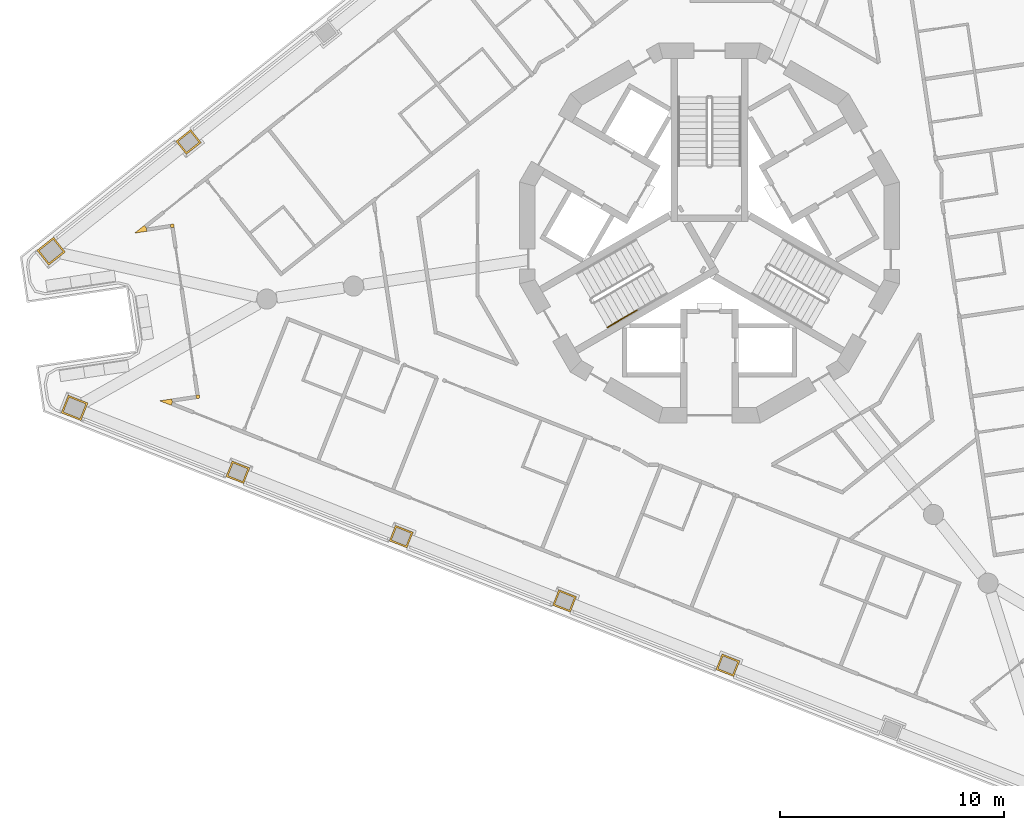
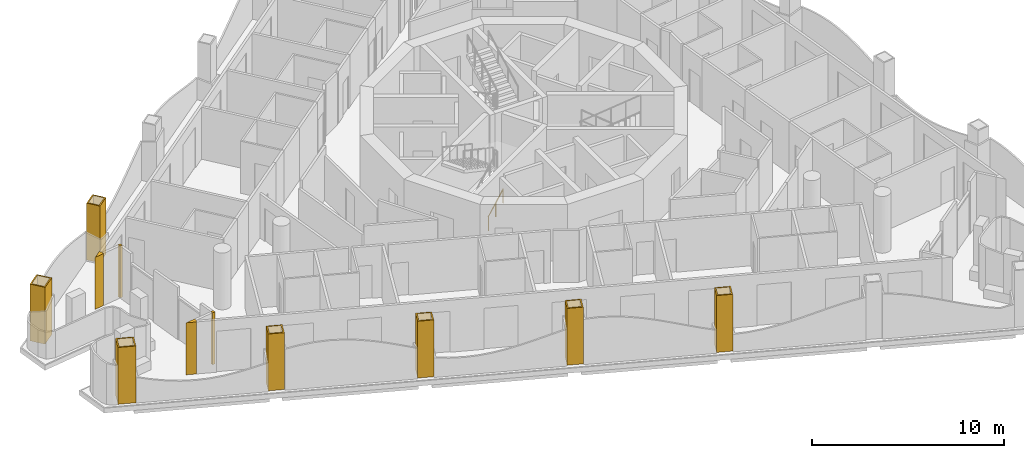
# One storey, part 11 of 17: 11 coverings, 1 railing.
"""IFC4 building model written with IfcOpenShell, lengths in metres."""

from ifc_helpers import new_model, si_unit, direction, frame, origin, origin_2d, place, context, subcontext, project, spatial, polyline, circle, outline, extrude, material, layer, layer_set, type_object, element, save


model = new_model("IFC4")

# Units and contexts
model_context = context("Model", 3, precision=1e-05, world=origin(), true_north=direction((0.0, 1.0)))
body_context = subcontext(model_context, "Body", "Model", "MODEL_VIEW")
ifc_project = project(units=[si_unit("LENGTHUNIT", "METRE"), si_unit("AREAUNIT", "SQUARE_METRE"), si_unit("VOLUMEUNIT", "CUBIC_METRE"), si_unit("PLANEANGLEUNIT", "RADIAN"), si_unit("MASSUNIT", "GRAM", prefix="KILO")], contexts=[model_context])

# Site, building, storey
site_placement = place(None, origin())
site = spatial("IfcSite", under=ifc_project, at=site_placement, CompositionType="ELEMENT")
building_placement = place(site_placement, origin())
building = spatial("IfcBuilding", under=site, at=building_placement, Name="Trine Commons Tower", CompositionType="ELEMENT")
storey_placement = place(building_placement, frame((0.0, 0.0, 208.800048828125)))
storey = spatial("IfcBuildingStorey", under=building, at=storey_placement, Name="L54", CompositionType="ELEMENT", Elevation=208.800048828125)

# Coverings
ifc_material_1 = material(Name="Aluminium-framed insulated wall panel", Category="aluminium")
ifc_layer_1 = layer(ifc_material_1, 0.14990234375)
ifc_layer_set_1 = layer_set([ifc_layer_1], Name="Aluminium-framed insulated wall panel")
covering_type_1 = type_object("IfcCoveringType", Name="Glazing corner post, aluminium", PredefinedType="CLADDING", material=ifc_layer_set_1)
covering_1_placement = place(storey_placement, origin())
element("IfcCovering", 1, at=covering_1_placement, inside=storey, type_object=covering_type_1, Name="Glazing corner post 6-01", PredefinedType="CLADDING", context=body_context, shape_type="SweptSolid", body=[
    extrude(outline(polyline([(54.83642578125, 62.5712890625), (54.814208984375, 62.7197265625), (54.720947265625, 62.837158203125), (54.28271484375, 62.488525390625), (54.83642578125, 62.5712890625)])), origin(), (0.0, 0.0, 1.0), 3.300048828125),
])
covering_2_placement = place(storey_placement, origin())
element("IfcCovering", 2, at=covering_2_placement, inside=storey, type_object=covering_type_1, Name="Glazing corner post 6-10", PredefinedType="CLADDING", context=body_context, shape_type="SweptSolid", body=[
    extrude(outline(polyline([(55.924072265625, 54.78662109375), (55.97900390625, 54.92626953125), (55.956787109375, 55.07470703125), (55.4033203125, 54.991943359375), (55.924072265625, 54.78662109375)])), origin(), (0.0, 0.0, 1.0), 3.300048828125),
])
covering_3_placement = place(storey_placement, origin())
element("IfcCovering", 3, at=covering_3_placement, inside=storey, type_object=covering_type_1, Name="Glazing corner post 6-11", PredefinedType="CLADDING", context=body_context, shape_type="SweptSolid", body=[
    extrude(outline(polyline([(57.030517578125, 55.235107421875), (57.052734375, 55.0869140625), (57.201171875, 55.10888671875), (57.178955078125, 55.25732421875), (57.030517578125, 55.235107421875)])), origin(), (0.0, 0.0, 1.0), 3.300048828125),
])
covering_4_placement = place(storey_placement, origin())
element("IfcCovering", 4, at=covering_4_placement, inside=storey, type_object=covering_type_1, Name="Glazing corner post 6-12", PredefinedType="CLADDING", context=body_context, shape_type="SweptSolid", body=[
    extrude(outline(polyline([(55.91015625, 62.731689453125), (55.91015625, 62.731689453125), (56.05859375, 62.75390625), (56.036376953125, 62.90234375), (55.887939453125, 62.880126953125), (55.91015625, 62.731689453125)])), origin(), (0.0, 0.0, 1.0), 3.300048828125),
])
ifc_material_2 = material(Name="Limestone, honed", Category="masonry")
ifc_layer_2 = layer(ifc_material_2, 0.074951171875)
ifc_layer_set_2 = layer_set([ifc_layer_2], Name="Limestone, honed")
covering_type_2 = type_object("IfcCoveringType", Name="Limestone column cladding 75", PredefinedType="CLADDING", material=ifc_layer_set_2)
covering_5_placement = place(storey_placement, origin())
element("IfcCovering", 5, at=covering_5_placement, inside=storey, type_object=covering_type_2, Name="Limestone pier cladding 6-03", PredefinedType="CLADDING", context=body_context, shape_type="SweptSolid", body=[
    extrude(outline(polyline([(80.562744140625, 43.66796875), (80.287841796875, 42.97021484375), (81.078857421875, 42.658447265625), (81.353759765625, 43.356201171875), (80.562744140625, 43.66796875)]), holes=[polyline([(80.60498046875, 43.570556640625), (80.38525390625, 43.012451171875), (81.03662109375, 42.755859375), (81.25634765625, 43.31396484375), (80.60498046875, 43.570556640625)])]), origin(), (0.0, 0.0, 1.0), 3.599853515625),
])
covering_6_placement = place(storey_placement, origin())
element("IfcCovering", 6, at=covering_6_placement, inside=storey, type_object=covering_type_2, Name="Limestone pier cladding 6-04", PredefinedType="CLADDING", context=body_context, shape_type="SweptSolid", body=[
    extrude(outline(polyline([(73.25830078125, 46.545166015625), (72.9833984375, 45.847412109375), (73.7744140625, 45.535888671875), (74.04931640625, 46.233642578125), (73.25830078125, 46.545166015625)]), holes=[polyline([(73.30078125, 46.447998046875), (73.080810546875, 45.8896484375), (73.732177734375, 45.633056640625), (73.951904296875, 46.19140625), (73.30078125, 46.447998046875)])]), origin(), (0.0, 0.0, 1.0), 3.599853515625),
])
covering_7_placement = place(storey_placement, origin())
element("IfcCovering", 7, at=covering_7_placement, inside=storey, type_object=covering_type_2, Name="Limestone pier cladding 6-05", PredefinedType="CLADDING", context=body_context, shape_type="SweptSolid", body=[
    extrude(outline(polyline([(65.9541015625, 49.42236328125), (65.67919921875, 48.724609375), (66.47021484375, 48.4130859375), (66.7451171875, 49.11083984375), (65.9541015625, 49.42236328125)]), holes=[polyline([(65.996337890625, 49.3251953125), (65.776611328125, 48.766845703125), (66.427734375, 48.51025390625), (66.647705078125, 49.068603515625), (65.996337890625, 49.3251953125)])]), origin(), (0.0, 0.0, 1.0), 3.599853515625),
])
covering_8_placement = place(storey_placement, origin())
element("IfcCovering", 8, at=covering_8_placement, inside=storey, type_object=covering_type_2, Name="Limestone pier cladding 6-06", PredefinedType="CLADDING", context=body_context, shape_type="SweptSolid", body=[
    extrude(outline(polyline([(58.64990234375, 52.2998046875), (58.375, 51.601806640625), (59.165771484375, 51.290283203125), (59.440673828125, 51.988037109375), (58.64990234375, 52.2998046875)]), holes=[polyline([(58.692138671875, 52.202392578125), (58.47216796875, 51.644287109375), (59.12353515625, 51.3876953125), (59.343505859375, 51.94580078125), (58.692138671875, 52.202392578125)])]), origin(), (0.0, 0.0, 1.0), 3.599853515625),
])
covering_9_placement = place(storey_placement, origin())
element("IfcCovering", 9, at=covering_9_placement, inside=storey, type_object=covering_type_2, Name="Limestone pier cladding 6-07", PredefinedType="CLADDING", context=body_context, shape_type="SweptSolid", body=[
    extrude(outline(polyline([(51.317138671875, 55.24169921875), (51.005615234375, 54.450927734375), (51.8896484375, 54.102783203125), (52.201171875, 54.8935546875), (51.317138671875, 55.24169921875)]), holes=[polyline([(51.359619140625, 55.14453125), (51.10302734375, 54.493408203125), (51.847412109375, 54.2001953125), (52.103759765625, 54.851318359375), (51.359619140625, 55.14453125)])]), origin(), (0.0, 0.0, 1.0), 3.599853515625),
])
covering_10_placement = place(storey_placement, origin())
element("IfcCovering", 10, at=covering_10_placement, inside=storey, type_object=covering_type_2, Name="Limestone pier cladding 6-08", PredefinedType="CLADDING", context=body_context, shape_type="SweptSolid", body=[
    extrude(outline(polyline([(51.19189453125, 61.646484375), (50.662841796875, 62.311767578125), (49.919189453125, 61.72021484375), (50.448486328125, 61.05517578125), (51.19189453125, 61.646484375)]), holes=[polyline([(51.08642578125, 61.658447265625), (50.65087890625, 62.206298828125), (50.024658203125, 61.708251953125), (50.46044921875, 61.160400390625), (51.08642578125, 61.658447265625)])]), origin(), (0.0, 0.0, 1.0), 3.599853515625),
])
covering_11_placement = place(storey_placement, origin())
element("IfcCovering", 11, at=covering_11_placement, inside=storey, type_object=covering_type_2, Name="Limestone pier cladding 6-09", PredefinedType="CLADDING", context=body_context, shape_type="SweptSolid", body=[
    extrude(outline(polyline([(57.265625, 66.54150390625), (56.798583984375, 67.12841796875), (56.13330078125, 66.599365234375), (56.600341796875, 66.012451171875), (57.265625, 66.54150390625)]), holes=[polyline([(57.16015625, 66.5537109375), (56.78662109375, 67.023193359375), (56.23876953125, 66.58740234375), (56.6123046875, 66.117919921875), (57.16015625, 66.5537109375)])]), origin(), (0.0, 0.0, 1.0), 3.599853515625),
])

# Railing
ifc_material_3 = material(Name="Stainless steel handrail", Category="steel")
railing_type = type_object("IfcRailingType", Name="Stair handrail, steel 900", PredefinedType="HANDRAIL", material=ifc_material_3)
railing_placement = place(storey_placement, frame((75.43017578125, 58.27392578125, 0.14990234375)))
element("IfcRailing", 12, at=railing_placement, inside=storey, type_object=railing_type, Name="L54 ST2C stair handrail 1", PredefinedType="HANDRAIL", context=body_context, shape_type="SweptSolid", body=[
    extrude(circle(Radius=0.02099609375, at=origin_2d()), frame((0.0, 0.0, 0.87890625), z_axis=(0.76340495495, 0.440743040072, 0.472184759798), x_axis=(-0.499992328818, 0.866029832698, 0.0)), (0.0, 0.0, 1.0), 1.7470703125),
    extrude(circle(Radius=0.01513671875, at=origin_2d()), origin(), (0.0, 0.0, 1.0), 0.85791015625),
    extrude(circle(Radius=0.01513671875, at=origin_2d()), frame((0.6669921875, 0.385009765625, 0.41259765625)), (0.0, 0.0, 1.0), 0.85791015625),
    extrude(circle(Radius=0.01513671875, at=origin_2d()), frame((1.333740234375, 0.77001953125, 0.824951171875)), (0.0, 0.0, 1.0), 0.85791015625),
])

save(model, "model.ifc")
